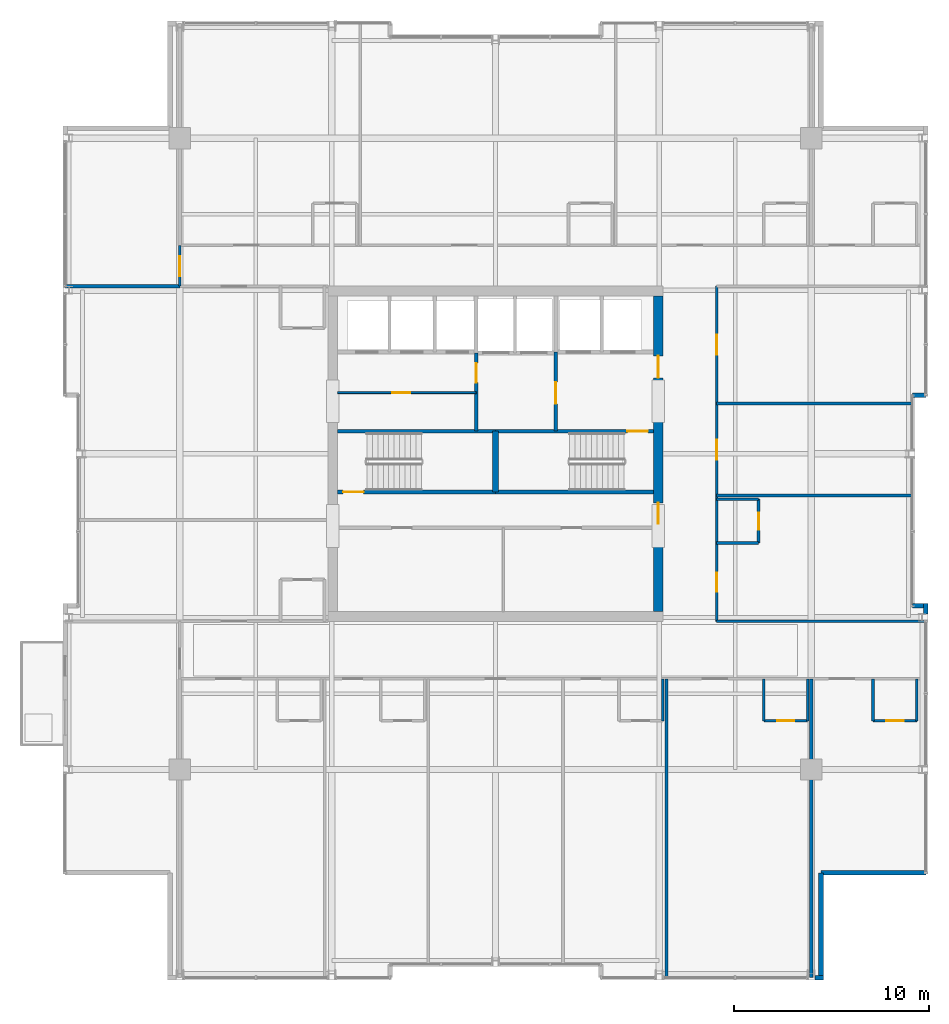
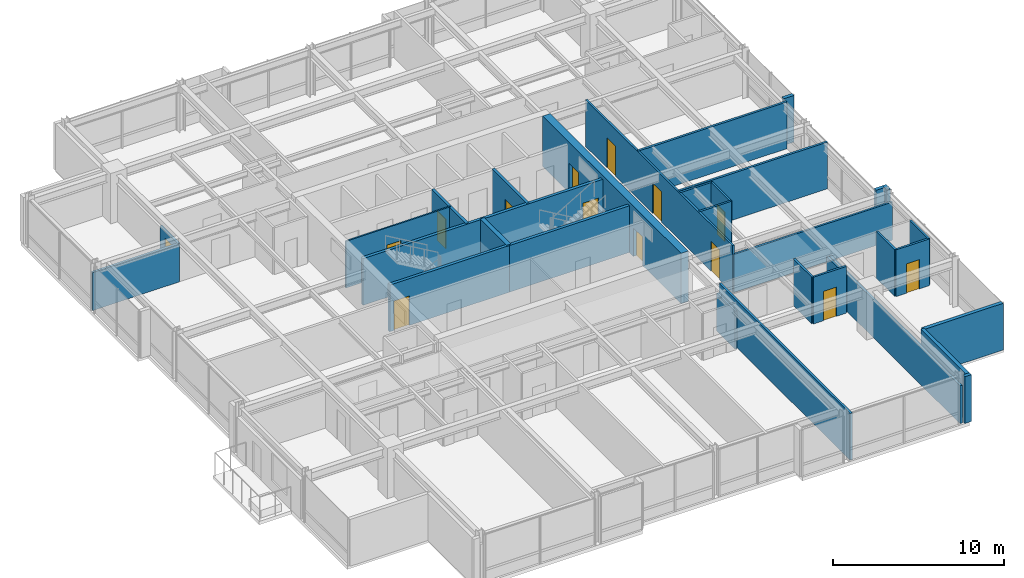
# One storey, part 27 of 31: 33 walls, 14 doors, 14 openings.
"""IFC4 building model written with IfcOpenShell, lengths in metres."""

import ifcopenshell
import ifcopenshell.guid

model = None  # the IFC model being written
_history = None  # IfcOwnerHistory: only IFC2X3 demands one
_inside = {}  # id of a spatial element -> (the spatial element, [elements in it])
_under = {}  # id of a project, library or spatial element -> (it, [spatial elements below it])
_declared = {}  # id of a project -> (the project, [libraries it declares])
_typed = {}  # id of a type object -> (the type object, [elements of that type])
_made_of = {}  # id of a material, layer set ... -> (it, [elements and type objects made of it])


def new_model(schema):
    """Start an empty IFC model of exactly this schema.

    Asked for "IFC4X3", IfcOpenShell would pick the latest addendum, in which some entities
    have other attributes; the version numbers below select the first issue.
    IFC2X3 requires an IfcOwnerHistory on every rooted entity: one is made here for all.
    """
    global model, _history
    if schema == "IFC4X3":
        model = ifcopenshell.file(schema_version=(4, 3, 0, 0))
    else:
        model = ifcopenshell.file(schema=schema)
    _inside.clear()
    _under.clear()
    _declared.clear()
    _typed.clear()
    _made_of.clear()
    _history = None
    if model.schema == "IFC2X3":
        org = make("IfcOrganization", Name="unknown")
        user = make(
            "IfcPersonAndOrganization",
            ThePerson=make("IfcPerson", FamilyName="unknown"),
            TheOrganization=org,
        )
        app = make(
            "IfcApplication",
            ApplicationDeveloper=org,
            Version="unknown",
            ApplicationFullName="unknown",
            ApplicationIdentifier="unknown",
        )
        _history = make(
            "IfcOwnerHistory",
            OwningUser=user,
            OwningApplication=app,
            ChangeAction="ADDED",
            CreationDate=0,
        )
    return model


def make(cls, **values):
    """One entity of the class cls with the attributes given. An attribute that is None is left unset."""
    return model.create_entity(
        cls, **{name: value for name, value in values.items() if value is not None}
    )


def rooted(cls, **values):
    """An entity with a GlobalId (a new one), such as an element, a storey or a relation."""
    return make(cls, GlobalId=ifcopenshell.guid.new(), OwnerHistory=_history, **values)


def si_unit(unit_type, name, prefix=None):
    """IfcSIUnit, for example si_unit("LENGTHUNIT", "METRE", prefix="MILLI")."""
    return make("IfcSIUnit", UnitType=unit_type, Prefix=prefix, Name=name)


def assignment(units):
    """IfcUnitAssignment: the units of a project."""
    return None if units is None else make("IfcUnitAssignment", Units=units)


def point(xyz):
    """IfcCartesianPoint."""
    return None if xyz is None else make("IfcCartesianPoint", Coordinates=xyz)


def direction(xyz):
    """IfcDirection."""
    return None if xyz is None else make("IfcDirection", DirectionRatios=xyz)


def frame(location, z_axis=None, x_axis=None):
    """IfcAxis2Placement3D, a coordinate frame: its origin and axes. An axis left out is left unset."""
    return make(
        "IfcAxis2Placement3D",
        Location=point(location),
        Axis=direction(z_axis),
        RefDirection=direction(x_axis),
    )


def frame_2d(location, x_axis=None):
    """IfcAxis2Placement2D, a coordinate frame in the plane: its origin and x axis."""
    return make(
        "IfcAxis2Placement2D", Location=point(location), RefDirection=direction(x_axis)
    )


def origin():
    """The frame at (0, 0, 0) with its axes left unset."""
    return frame((0.0, 0.0, 0.0))


def place(relative_to, where):
    """IfcLocalPlacement: puts the frame where relative to a parent placement (None: the world)."""
    return make(
        "IfcLocalPlacement", PlacementRelTo=relative_to, RelativePlacement=where
    )


def context(
    kind, dimensions, precision=None, world=None, true_north=None, identifier=None
):
    """IfcGeometricRepresentationContext, for example the 3D "Model" context."""
    return make(
        "IfcGeometricRepresentationContext",
        ContextIdentifier=identifier,
        ContextType=kind,
        CoordinateSpaceDimension=dimensions,
        Precision=precision,
        WorldCoordinateSystem=world,
        TrueNorth=true_north,
    )


def subcontext(parent, identifier, kind, view, scale=None):
    """IfcGeometricRepresentationSubContext, for example "Body" below "Model"."""
    return make(
        "IfcGeometricRepresentationSubContext",
        ContextIdentifier=identifier,
        ContextType=kind,
        ParentContext=parent,
        TargetScale=scale,
        TargetView=view,
    )


def project(units=None, contexts=None):
    """IfcProject with its units and contexts."""
    return rooted(
        "IfcProject",
        Name="project",
        RepresentationContexts=contexts,
        UnitsInContext=assignment(units),
    )


def spatial(cls, under=None, at=None, **own):
    """A site, building, storey or space (cls), placed at a placement, below another one or the project."""
    s = rooted(cls, ObjectPlacement=at, **own)
    if under is not None:
        _under.setdefault(under.id(), (under, []))[1].append(s)
    return s


def profile(cls, at=None, kind="AREA", **sizes):
    """A parametric profile (cls). Its sizes go by their IFC names, for example OverallWidth=200.0."""
    return make(cls, ProfileType=kind, Position=at, **sizes)


def rectangle(**sizes):
    """IfcRectangleProfileDef."""
    return profile("IfcRectangleProfileDef", **sizes)


def extrude(swept, where, along, depth):
    """IfcExtrudedAreaSolid: the profile swept, set in the frame where, extruded along a direction by depth."""
    return make(
        "IfcExtrudedAreaSolid",
        SweptArea=swept,
        Position=where,
        ExtrudedDirection=direction(along),
        Depth=depth,
    )


def shape(context_of_items, identifier, shape_type, items):
    """IfcShapeRepresentation: the items that make up one representation, for example the "Body"."""
    return make(
        "IfcShapeRepresentation",
        ContextOfItems=context_of_items,
        RepresentationIdentifier=identifier,
        RepresentationType=shape_type,
        Items=items,
    )


def material(Name=None, Category=None):
    """IfcMaterial."""
    return make("IfcMaterial", Name=Name, Category=Category)


def layer(
    of_material, thickness, ventilated=None, Name=None, Category=None, Priority=None
):
    """IfcMaterialLayer: one layer of a wall or slab, of a material (None: an air gap)."""
    return make(
        "IfcMaterialLayer",
        Material=of_material,
        LayerThickness=thickness,
        IsVentilated=ventilated,
        Name=Name,
        Category=Category,
        Priority=Priority,
    )


def layer_set(layers, Name=None):
    """IfcMaterialLayerSet."""
    return make("IfcMaterialLayerSet", MaterialLayers=layers, LayerSetName=Name)


def made_of(thing, what):
    """Note that an element or type object is made of a material, layer set ...; save() writes the relation."""
    if what is not None:
        _made_of.setdefault(what.id(), (what, []))[1].append(thing)
    return thing


def type_object(cls, material=None, **own):
    """A type object (cls), such as IfcWallType, which elements share."""
    return made_of(rooted(cls, **own), material)


def element(
    cls,
    number,
    at=None,
    inside=None,
    cuts=None,
    type_object=None,
    material=None,
    context=None,
    identifier="Body",
    shape_type=None,
    held_by="IfcProductDefinitionShape",
    body=None,
    shapes=None,
    **own,
):
    """One element of the class cls, such as IfcWall. Its Tag is "e" and its number.

    at: its placement. inside: the storey or other place that contains it. cuts: it is an
    opening in that element (IfcRelVoidsElement). A single representation is given by context,
    identifier, shape_type and body (its items); several are given by shapes. held_by: the class
    of the entity that holds the representations. save() writes the other relations.
    """
    e = rooted(cls, Tag="e%d" % number, ObjectPlacement=at, **own)
    if body is not None:
        shapes = [shape(context, identifier, shape_type, body)]
    if shapes is not None:
        e.Representation = make(held_by, Representations=shapes)
    if inside is not None:
        _inside.setdefault(inside.id(), (inside, []))[1].append(e)
    if cuts is not None:
        rooted(
            "IfcRelVoidsElement", RelatingBuildingElement=cuts, RelatedOpeningElement=e
        )
    if type_object is not None:
        _typed.setdefault(type_object.id(), (type_object, []))[1].append(e)
    return made_of(e, material)


def fill(opening, filler):
    """IfcRelFillsElement: the door or window that sits in an opening."""
    return rooted(
        "IfcRelFillsElement",
        RelatingOpeningElement=opening,
        RelatedBuildingElement=filler,
    )


def aggregate(whole, parts):
    """IfcRelAggregates: a whole, such as a stair, and the parts it consists of."""
    return rooted("IfcRelAggregates", RelatingObject=whole, RelatedObjects=parts)


def save(model, path):
    """Write the relations noted so far, then the file.

    IfcRelAggregates (storeys below a building ...), IfcRelContainedInSpatialStructure (elements
    in a storey), IfcRelDefinesByType, IfcRelAssociatesMaterial and IfcRelDeclares: one each for
    every whole, place, type object, material and project.
    """
    for whole, parts in _under.values():
        aggregate(whole, parts)
    for where, things in _inside.values():
        rooted(
            "IfcRelContainedInSpatialStructure",
            RelatedElements=things,
            RelatingStructure=where,
        )
    for kind, things in _typed.values():
        rooted("IfcRelDefinesByType", RelatedObjects=things, RelatingType=kind)
    for what, things in _made_of.values():
        rooted("IfcRelAssociatesMaterial", RelatedObjects=things, RelatingMaterial=what)
    for by, libraries in _declared.values():
        rooted("IfcRelDeclares", RelatingContext=by, RelatedDefinitions=libraries)
    model.write(path)


model = new_model("IFC4")

# Units and contexts
model_context = context("Model", 3, precision=1e-05, world=origin(), true_north=direction((0.0, 1.0)))
body_context = subcontext(model_context, "Body", "Model", "MODEL_VIEW")
ifc_project = project(units=[si_unit("LENGTHUNIT", "METRE"), si_unit("AREAUNIT", "SQUARE_METRE"), si_unit("VOLUMEUNIT", "CUBIC_METRE"), si_unit("PLANEANGLEUNIT", "RADIAN"), si_unit("MASSUNIT", "GRAM", prefix="KILO")], contexts=[model_context])

# Site, building, storey
site_placement = place(None, origin())
site = spatial("IfcSite", under=ifc_project, at=site_placement, CompositionType="ELEMENT")
building_placement = place(site_placement, origin())
building = spatial("IfcBuilding", under=site, at=building_placement, Name="Drelvath Grand Hotel", CompositionType="ELEMENT")
storey_placement = place(building_placement, frame((0.0, 0.0, 230.300048828125)))
storey = spatial("IfcBuildingStorey", under=building, at=storey_placement, Name="L60", CompositionType="ELEMENT", Elevation=230.300048828125)

# Wall, opening, door
ifc_material_1 = material(Name="Gypsum Partition Board")
ifc_layer_1 = layer(ifc_material_1, 0.10009765625)
ifc_layer_set_1 = layer_set([ifc_layer_1], Name="Gypsum Partition Board")
wall_type_1 = type_object("IfcWallType", Name="Core Closet Partition 100", PredefinedType="PARTITIONING", material=ifc_layer_set_1)
wall_1_placement = place(storey_placement, frame((-8.10009765625, 30.139892578125, 0.0), z_axis=(0.0, 0.0, 1.0), x_axis=(1.0, 0.0, 0.0)))
wall_1 = element("IfcWall", 1, at=wall_1_placement, inside=storey, type_object=wall_type_1, Name="L60 High-Rise Lobby Closet Wall", PredefinedType="PARTITIONING", context=body_context, shape_type="SweptSolid", body=[
    extrude(rectangle(XDim=7.10009765625, YDim=0.10009765625, at=frame_2d((3.550048828125, 0.0))), origin(), (0.0, 0.0, 1.0), 3.33984375),
])
opening_1_placement = place(wall_1_placement, frame((2.800048828125, 0.0, 0.0)))
opening_1 = element("IfcOpeningElement", 2, at=opening_1_placement, cuts=wall_1, Name="Opening D-T4G3-013", PredefinedType="OPENING", context=body_context, shape_type="SweptSolid", body=[
    extrude(rectangle(XDim=0.919921875, YDim=2.10009765625, at=frame_2d((0.4599609375, 1.050048828125))), frame((0.0, 0.06005859375, 0.0), z_axis=(0.0, -1.0, 0.0), x_axis=(1.0, 0.0, 0.0)), (0.0, 0.0, 1.0), 0.1201171875),
])
ifc_material_2 = material(Name="Painted Steel S275", Category="steel")
door_type_1 = type_object("IfcDoorType", Name="Staff Utility Door 920x2100", OperationType="NOTDEFINED", PredefinedType="DOOR", material=ifc_material_2)
door_1_placement = place(opening_1_placement, origin())
door_1 = element("IfcDoor", 3, at=door_1_placement, inside=storey, type_object=door_type_1, Name="L60 Core Telecom Door", OperationType="SINGLE_SWING_RIGHT", OverallHeight=2.10009765625, OverallWidth=0.919921875, PredefinedType="DOOR", context=body_context, shape_type="SweptSolid", body=[
    extrude(rectangle(XDim=0.919921875, YDim=2.10009765625, at=frame_2d((0.4599609375, 1.050048828125))), frame((0.0, 0.02490234375, 0.0), z_axis=(0.0, -1.0, 0.0), x_axis=(1.0, 0.0, 0.0)), (0.0, 0.0, 1.0), 0.050048828125),
])
fill(opening_1, door_1)

ifc_material_3 = material(Name="Concrete C40/50", Category="concrete")
ifc_layer_2 = layer(ifc_material_3, 0.199951171875)
ifc_layer_set_2 = layer_set([ifc_layer_2], Name="Concrete C40/50")
wall_type_2 = type_object("IfcWallType", Name="Core Shaft Fire Wall 200", PredefinedType="SOLIDWALL", material=ifc_layer_set_2)
wall_2_placement = place(storey_placement, frame((-8.10009765625, 25.0400390625, 0.0), z_axis=(0.0, 0.0, 1.0), x_axis=(1.0, 0.0, 0.0)))
wall_2 = element("IfcWall", 4, at=wall_2_placement, inside=storey, type_object=wall_type_2, Name="L60 Stair ST-1 South Wall", PredefinedType="SOLIDWALL", context=body_context, shape_type="SweptSolid", body=[
    extrude(rectangle(XDim=8.10009765625, YDim=0.199951171875, at=frame_2d((4.050048828125, 0.0))), origin(), (0.0, 0.0, 1.0), 3.33984375),
])
opening_2_placement = place(wall_2_placement, frame((0.280029296875, 0.0, 0.0)))
opening_2 = element("IfcOpeningElement", 5, at=opening_2_placement, cuts=wall_2, Name="Opening D-T4G3-001", PredefinedType="OPENING", context=body_context, shape_type="SweptSolid", body=[
    extrude(rectangle(XDim=1.050048828125, YDim=2.10009765625, at=frame_2d((0.52490234375, 1.050048828125))), frame((0.0, 0.10986328125, 0.0), z_axis=(0.0, -1.0, 0.0), x_axis=(1.0, 0.0, 0.0)), (0.0, 0.0, 1.0), 0.219970703125),
])
door_type_2 = type_object("IfcDoorType", Name="Tower Stairwell Fire Door 1050x2100", OperationType="NOTDEFINED", PredefinedType="DOOR", material=ifc_material_2)
door_2_placement = place(opening_2_placement, origin())
door_2 = element("IfcDoor", 6, at=door_2_placement, inside=storey, type_object=door_type_2, Name="L60 Exit Stair ST-1 Door", OperationType="SINGLE_SWING_LEFT", OverallHeight=2.10009765625, OverallWidth=1.050048828125, PredefinedType="DOOR", context=body_context, shape_type="SweptSolid", body=[
    extrude(rectangle(XDim=1.050048828125, YDim=2.10009765625, at=frame_2d((0.52490234375, 1.050048828125))), frame((0.0, 0.02490234375, 0.0), z_axis=(0.0, -1.0, 0.0), x_axis=(1.0, 0.0, 0.0)), (0.0, 0.0, 1.0), 0.050048828125),
])
fill(opening_2, door_2)

# Walls
for number, where, z_axis, x_axis, name in (
    (7, (-8.10009765625, 28.159912109375, 0.0), (0.0, 0.0, 1.0), (1.0, 0.0, 0.0), "L60 Stair ST-1 North Wall"),
    (8, (0.0, 25.0400390625, 0.0), (0.0, 0.0, 1.0), (1.0, 0.0, 0.0), "L60 Stair ST-2 South Wall"),
):
    element("IfcWall", number, at=place(storey_placement, frame(where, z_axis=z_axis, x_axis=x_axis)), inside=storey, type_object=wall_type_2, Name=name, PredefinedType="SOLIDWALL", context=body_context, shape_type="SweptSolid", body=[
        extrude(rectangle(XDim=8.10009765625, YDim=0.199951171875, at=frame_2d((4.050048828125, 0.0))), origin(), (0.0, 0.0, 1.0), 3.33984375),
    ])

# Wall, opening, door
wall_3_placement = place(storey_placement, frame((8.10009765625, 28.159912109375, 0.0), z_axis=(0.0, 0.0, 1.0), x_axis=(-1.0, 0.0, 0.0)))
wall_3 = element("IfcWall", 9, at=wall_3_placement, inside=storey, type_object=wall_type_2, Name="L60 Stair ST-2 North Wall", PredefinedType="SOLIDWALL", context=body_context, shape_type="SweptSolid", body=[
    extrude(rectangle(XDim=8.10009765625, YDim=0.199951171875, at=frame_2d((4.050048828125, 0.0))), origin(), (0.0, 0.0, 1.0), 3.33984375),
])
opening_3_placement = place(wall_3_placement, frame((0.280029296875, 0.0, 0.0)))
opening_3 = element("IfcOpeningElement", 10, at=opening_3_placement, cuts=wall_3, Name="Opening D-T4G3-002", PredefinedType="OPENING", context=body_context, shape_type="SweptSolid", body=[
    extrude(rectangle(XDim=1.050048828125, YDim=2.10009765625, at=frame_2d((0.52490234375, 1.050048828125))), frame((0.0, 0.10986328125, 0.0), z_axis=(0.0, -1.0, 0.0), x_axis=(1.0, 0.0, 0.0)), (0.0, 0.0, 1.0), 0.219970703125),
])
door_3_placement = place(opening_3_placement, origin())
door_3 = element("IfcDoor", 11, at=door_3_placement, inside=storey, type_object=door_type_2, Name="L60 Exit Stair ST-2 Door", OperationType="SINGLE_SWING_LEFT", OverallHeight=2.10009765625, OverallWidth=1.050048828125, PredefinedType="DOOR", context=body_context, shape_type="SweptSolid", body=[
    extrude(rectangle(XDim=1.050048828125, YDim=2.10009765625, at=frame_2d((0.52490234375, 1.050048828125))), frame((0.0, 0.02490234375, 0.0), z_axis=(0.0, -1.0, 0.0), x_axis=(1.0, 0.0, 0.0)), (0.0, 0.0, 1.0), 0.050048828125),
])
fill(opening_3, door_3)

# Walls
ifc_layer_3 = layer(ifc_material_3, 0.300048828125)
ifc_layer_set_3 = layer_set([ifc_layer_3], Name="Concrete C40/50")
wall_type_3 = type_object("IfcWallType", Name="Core Shaft Fire Wall 300", PredefinedType="SOLIDWALL", material=ifc_layer_set_3)
wall_4_placement = place(storey_placement, frame((0.0, 25.0400390625, 0.0), z_axis=(0.0, 0.0, 1.0), x_axis=(0.0, 1.0, 0.0)))
element("IfcWall", 12, at=wall_4_placement, inside=storey, type_object=wall_type_3, Name="L60 Core Stair Divider Wall", PredefinedType="SOLIDWALL", context=body_context, shape_type="SweptSolid", body=[
    extrude(rectangle(XDim=3.119873046875, YDim=0.300048828125, at=frame_2d((1.56005859375, 0.0))), origin(), (0.0, 0.0, 1.0), 3.33984375),
])
ifc_material_4 = material(Name="Gypsum Fireboard Partition")
ifc_layer_4 = layer(ifc_material_4, 0.135009765625)
ifc_layer_set_4 = layer_set([ifc_layer_4], Name="Gypsum Fireboard Partition")
wall_type_4 = type_object("IfcWallType", Name="Corridor Fire Barrier Wall 135", PredefinedType="PARTITIONING", material=ifc_layer_set_4)
wall_5_placement = place(storey_placement, frame((11.35009765625, 18.39990234375, 0.0), z_axis=(0.0, 0.0, 1.0), x_axis=(1.0, 0.0, 0.0)))
element("IfcWall", 13, at=wall_5_placement, inside=storey, type_object=wall_type_4, Name="L60 South Gallery Inner East Wall", PredefinedType="PARTITIONING", context=body_context, shape_type="SweptSolid", body=[
    extrude(rectangle(XDim=10.72998046875, YDim=0.135009765625, at=frame_2d((5.364990234375, 0.0))), origin(), (0.0, 0.0, 1.0), 2.71728515625),
])

# Wall, openings, doors
wall_6_placement = place(storey_placement, frame((11.35009765625, 18.39990234375, 0.0), z_axis=(0.0, 0.0, 1.0), x_axis=(0.0, 1.0, 0.0)))
wall_6 = element("IfcWall", 14, at=wall_6_placement, inside=storey, type_object=wall_type_4, Name="L60 East Gallery Link Wall", PredefinedType="PARTITIONING", context=body_context, shape_type="SweptSolid", body=[
    extrude(rectangle(XDim=17.2001953125, YDim=0.135009765625, at=frame_2d((8.60009765625, 0.0))), origin(), (0.0, 0.0, 1.0), 3.33984375),
])
opening_4_placement = place(wall_6_placement, frame((1.530029296875, 0.0, 0.0)))
opening_4 = element("IfcOpeningElement", 15, at=opening_4_placement, cuts=wall_6, Name="Opening D-T4G3-039", PredefinedType="OPENING", context=body_context, shape_type="SweptSolid", body=[
    extrude(rectangle(XDim=0.9599609375, YDim=2.14990234375, at=frame_2d((0.47998046875, 1.074951171875))), frame((0.0, 0.077392578125, 0.0), z_axis=(0.0, -1.0, 0.0), x_axis=(1.0, 0.0, 0.0)), (0.0, 0.0, 1.0), 0.155029296875),
])
opening_5_placement = place(wall_6_placement, frame((8.304931640625, 0.0, 0.0)))
opening_5 = element("IfcOpeningElement", 16, at=opening_5_placement, cuts=wall_6, Name="Opening D-T4G3-040", PredefinedType="OPENING", context=body_context, shape_type="SweptSolid", body=[
    extrude(rectangle(XDim=1.02001953125, YDim=2.14990234375, at=frame_2d((0.510009765625, 1.074951171875))), frame((0.0, 0.077392578125, 0.0), z_axis=(0.0, -1.0, 0.0), x_axis=(1.0, 0.0, 0.0)), (0.0, 0.0, 1.0), 0.155029296875),
])
opening_6_placement = place(wall_6_placement, frame((13.679931640625, 0.0, 0.0)))
opening_6 = element("IfcOpeningElement", 17, at=opening_6_placement, cuts=wall_6, Name="Opening D-T4G3-041", PredefinedType="OPENING", context=body_context, shape_type="SweptSolid", body=[
    extrude(rectangle(XDim=1.02001953125, YDim=2.14990234375, at=frame_2d((0.510009765625, 1.074951171875))), frame((0.0, 0.077392578125, 0.0), z_axis=(0.0, -1.0, 0.0), x_axis=(1.0, 0.0, 0.0)), (0.0, 0.0, 1.0), 0.155029296875),
])
ifc_material_5 = material(Name="Hardwood Walnut Timber", Category="wood")
door_type_3 = type_object("IfcDoorType", Name="Amenity Meeting Fire Door 1020x2150", OperationType="NOTDEFINED", PredefinedType="DOOR", material=ifc_material_5)
door_4_placement = place(opening_5_placement, origin())
door_4 = element("IfcDoor", 18, at=door_4_placement, inside=storey, type_object=door_type_3, Name="L60 Quiet Study Library Entry Door", OperationType="SINGLE_SWING_LEFT", OverallHeight=2.14990234375, OverallWidth=1.02001953125, PredefinedType="DOOR", context=body_context, shape_type="SweptSolid", body=[
    extrude(rectangle(XDim=1.02001953125, YDim=2.14990234375, at=frame_2d((0.510009765625, 1.074951171875))), frame((0.0, 0.02490234375, 0.0), z_axis=(0.0, -1.0, 0.0), x_axis=(1.0, 0.0, 0.0)), (0.0, 0.0, 1.0), 0.050048828125),
])
fill(opening_5, door_4)
door_5_placement = place(opening_6_placement, origin())
door_5 = element("IfcDoor", 19, at=door_5_placement, inside=storey, type_object=door_type_3, Name="L60 Press Briefing Room Entry Door", OperationType="SINGLE_SWING_RIGHT", OverallHeight=2.14990234375, OverallWidth=1.02001953125, PredefinedType="DOOR", context=body_context, shape_type="SweptSolid", body=[
    extrude(rectangle(XDim=1.02001953125, YDim=2.14990234375, at=frame_2d((0.510009765625, 1.074951171875))), frame((0.0, 0.02490234375, 0.0), z_axis=(0.0, -1.0, 0.0), x_axis=(1.0, 0.0, 0.0)), (0.0, 0.0, 1.0), 0.050048828125),
])
fill(opening_6, door_5)
door_type_4 = type_object("IfcDoorType", Name="Guestroom Entrance Fire Door 960x2150", OperationType="NOTDEFINED", PredefinedType="DOOR", material=ifc_material_5)
door_6_placement = place(opening_4_placement, origin())
door_6 = element("IfcDoor", 20, at=door_6_placement, inside=storey, type_object=door_type_4, Name="L60 Deluxe Guest Room Entry Door", OperationType="SINGLE_SWING_RIGHT", OverallHeight=2.14990234375, OverallWidth=0.9599609375, PredefinedType="DOOR", context=body_context, shape_type="SweptSolid", body=[
    extrude(rectangle(XDim=0.9599609375, YDim=2.14990234375, at=frame_2d((0.47998046875, 1.074951171875))), frame((0.0, 0.02490234375, 0.0), z_axis=(0.0, -1.0, 0.0), x_axis=(1.0, 0.0, 0.0)), (0.0, 0.0, 1.0), 0.050048828125),
])
fill(opening_4, door_6)

# Wall, opening, door
wall_7_placement = place(storey_placement, frame((-16.199951171875, 35.60009765625, 0.0), z_axis=(0.0, 0.0, 1.0), x_axis=(0.0, 1.0, 0.0)))
wall_7 = element("IfcWall", 21, at=wall_7_placement, inside=storey, type_object=wall_type_4, Name="L60 North Gallery West End", PredefinedType="PARTITIONING", context=body_context, shape_type="SweptSolid", body=[
    extrude(rectangle(XDim=2.099853515625, YDim=0.135009765625, at=frame_2d((1.0498046875, 0.0))), origin(), (0.0, 0.0, 1.0), 2.7138671875),
])
opening_7_placement = place(wall_7_placement, frame((0.52001953125, 0.0, 0.0)))
opening_7 = element("IfcOpeningElement", 22, at=opening_7_placement, cuts=wall_7, Name="Opening D-T4G3-018", PredefinedType="OPENING", context=body_context, shape_type="SweptSolid", body=[
    extrude(rectangle(XDim=1.02001953125, YDim=2.14990234375, at=frame_2d((0.510009765625, 1.074951171875))), frame((0.0, 0.077392578125, 0.0), z_axis=(0.0, -1.0, 0.0), x_axis=(1.0, 0.0, 0.0)), (0.0, 0.0, 1.0), 0.155029296875),
])
door_7_placement = place(opening_7_placement, origin())
door_7 = element("IfcDoor", 23, at=door_7_placement, inside=storey, type_object=door_type_3, Name="L60 Corner Panorama Lounge Door", OperationType="SINGLE_SWING_LEFT", OverallHeight=2.14990234375, OverallWidth=1.02001953125, PredefinedType="DOOR", context=body_context, shape_type="SweptSolid", body=[
    extrude(rectangle(XDim=1.02001953125, YDim=2.14990234375, at=frame_2d((0.510009765625, 1.074951171875))), frame((0.0, 0.02490234375, 0.0), z_axis=(0.0, -1.0, 0.0), x_axis=(1.0, 0.0, 0.0)), (0.0, 0.0, 1.0), 0.050048828125),
])
fill(opening_7, door_7)

# Walls
ifc_material_6 = material(Name="Moisture-Resistant Gypsum Board")
ifc_layer_5 = layer(ifc_material_6, 0.139892578125)
ifc_layer_set_5 = layer_set([ifc_layer_5], Name="Moisture-Resistant Gypsum Board")
wall_type_5 = type_object("IfcWallType", Name="En-Suite Plumbing Wall 140", PredefinedType="PLUMBINGWALL", material=ifc_layer_set_5)
for number, where, z_axis, x_axis, name in (
    (24, (19.3701171875, 15.449951171875, 0.0), (0.0, 0.0, 1.0), (0.0, -1.0, 0.0), "L60 En-Suite Left Wall"),
    (25, (21.6201171875, 15.449951171875, 0.0), (0.0, 0.0, 1.0), (0.0, -1.0, 0.0), "L60 En-Suite Right Wall"),
):
    element("IfcWall", number, at=place(storey_placement, frame(where, z_axis=z_axis, x_axis=x_axis)), inside=storey, type_object=wall_type_5, Name=name, PredefinedType="PLUMBINGWALL", context=body_context, shape_type="SweptSolid", body=[
        extrude(rectangle(XDim=2.14990234375, YDim=0.139892578125, at=frame_2d((1.074951171875, 0.0))), origin(), (0.0, 0.0, 1.0), 3.33984375),
    ])

# Wall, opening, door
wall_8_placement = place(storey_placement, frame((19.3701171875, 13.300048828125, 0.0), z_axis=(0.0, 0.0, 1.0), x_axis=(1.0, 0.0, 0.0)))
wall_8 = element("IfcWall", 26, at=wall_8_placement, inside=storey, type_object=wall_type_5, Name="L60 En-Suite Front Wall", PredefinedType="PLUMBINGWALL", context=body_context, shape_type="SweptSolid", body=[
    extrude(rectangle(XDim=2.25, YDim=0.139892578125, at=frame_2d((1.125, 0.0))), origin(), (0.0, 0.0, 1.0), 3.33984375),
])
opening_8_placement = place(wall_8_placement, frame((0.68505859375, 0.0, 0.0)))
opening_8 = element("IfcOpeningElement", 27, at=opening_8_placement, cuts=wall_8, Name="Opening D-T4G3-019", PredefinedType="OPENING", context=body_context, shape_type="SweptSolid", body=[
    extrude(rectangle(XDim=0.8798828125, YDim=2.10009765625, at=frame_2d((0.43994140625, 1.050048828125))), frame((0.0, 0.079833984375, 0.0), z_axis=(0.0, -1.0, 0.0), x_axis=(1.0, 0.0, 0.0)), (0.0, 0.0, 1.0), 0.159912109375),
])
door_type_5 = type_object("IfcDoorType", Name="En-Suite Bathroom Door 880x2100", OperationType="NOTDEFINED", PredefinedType="DOOR", material=ifc_material_5)
door_8_placement = place(opening_8_placement, origin())
door_8 = element("IfcDoor", 28, at=door_8_placement, inside=storey, type_object=door_type_5, Name="L60 En-Suite Bathroom Door", OperationType="SINGLE_SWING_RIGHT", OverallHeight=2.10009765625, OverallWidth=0.8798828125, PredefinedType="DOOR", context=body_context, shape_type="SweptSolid", body=[
    extrude(rectangle(XDim=0.8798828125, YDim=2.10009765625, at=frame_2d((0.43994140625, 1.050048828125))), frame((0.0, 0.02490234375, 0.0), z_axis=(0.0, -1.0, 0.0), x_axis=(1.0, 0.0, 0.0)), (0.0, 0.0, 1.0), 0.050048828125),
])
fill(opening_8, door_8)

# Walls
wall_9_placement = place(storey_placement, frame((8.583984375, 15.449951171875, 0.0), z_axis=(0.0, 0.0, 1.0), x_axis=(0.0, -1.0, 0.0)))
element("IfcWall", 29, at=wall_9_placement, inside=storey, type_object=wall_type_5, Name="L60 En-Suite Right Wall", PredefinedType="PLUMBINGWALL", context=body_context, shape_type="SweptSolid", body=[
    extrude(rectangle(XDim=2.14990234375, YDim=0.139892578125, at=frame_2d((1.074951171875, 0.0))), origin(), (0.0, 0.0, 1.0), 2.71728515625),
])
wall_10_placement = place(storey_placement, frame((13.77001953125, 15.449951171875, 0.0), z_axis=(0.0, 0.0, 1.0), x_axis=(0.0, -1.0, 0.0)))
element("IfcWall", 30, at=wall_10_placement, inside=storey, type_object=wall_type_5, Name="L60 En-Suite Left Wall", PredefinedType="PLUMBINGWALL", context=body_context, shape_type="SweptSolid", body=[
    extrude(rectangle(XDim=2.14990234375, YDim=0.139892578125, at=frame_2d((1.074951171875, 0.0))), origin(), (0.0, 0.0, 1.0), 3.33984375),
])
wall_11_placement = place(storey_placement, frame((16.02001953125, 15.449951171875, 0.0), z_axis=(0.0, 0.0, 1.0), x_axis=(0.0, -1.0, 0.0)))
element("IfcWall", 31, at=wall_11_placement, inside=storey, type_object=wall_type_5, Name="L60 En-Suite Right Wall", PredefinedType="PLUMBINGWALL", context=body_context, shape_type="SweptSolid", body=[
    extrude(rectangle(XDim=2.14990234375, YDim=0.139892578125, at=frame_2d((1.074951171875, 0.0))), origin(), (0.0, 0.0, 1.0), 2.7138671875),
])

# Wall, opening, door
wall_12_placement = place(storey_placement, frame((13.77001953125, 13.300048828125, 0.0), z_axis=(0.0, 0.0, 1.0), x_axis=(1.0, 0.0, 0.0)))
wall_12 = element("IfcWall", 32, at=wall_12_placement, inside=storey, type_object=wall_type_5, Name="L60 En-Suite Front Wall", PredefinedType="PLUMBINGWALL", context=body_context, shape_type="SweptSolid", body=[
    extrude(rectangle(XDim=2.25, YDim=0.139892578125, at=frame_2d((1.125, 0.0))), origin(), (0.0, 0.0, 1.0), 3.33984375),
])
opening_9_placement = place(wall_12_placement, frame((0.68505859375, 0.0, 0.0)))
opening_9 = element("IfcOpeningElement", 33, at=opening_9_placement, cuts=wall_12, Name="Opening D-T4G3-030", PredefinedType="OPENING", context=body_context, shape_type="SweptSolid", body=[
    extrude(rectangle(XDim=0.8798828125, YDim=2.10009765625, at=frame_2d((0.43994140625, 1.050048828125))), frame((0.0, 0.079833984375, 0.0), z_axis=(0.0, -1.0, 0.0), x_axis=(1.0, 0.0, 0.0)), (0.0, 0.0, 1.0), 0.159912109375),
])
door_9_placement = place(opening_9_placement, origin())
door_9 = element("IfcDoor", 34, at=door_9_placement, inside=storey, type_object=door_type_5, Name="L60 En-Suite Bathroom Door", OperationType="SINGLE_SWING_LEFT", OverallHeight=2.10009765625, OverallWidth=0.8798828125, PredefinedType="DOOR", context=body_context, shape_type="SweptSolid", body=[
    extrude(rectangle(XDim=0.8798828125, YDim=2.10009765625, at=frame_2d((0.43994140625, 1.050048828125))), frame((0.0, 0.02490234375, 0.0), z_axis=(0.0, -1.0, 0.0), x_axis=(1.0, 0.0, 0.0)), (0.0, 0.0, 1.0), 0.050048828125),
])
fill(opening_9, door_9)

# Walls
for number, where, z_axis, x_axis, name in (
    (35, (11.35009765625, 22.419921875, 0.0), (0.0, 0.0, 1.0), (1.0, 0.0, 0.0), "L60 En-Suite Left Wall"),
    (36, (11.35009765625, 24.669921875, 0.0), (0.0, 0.0, 1.0), (1.0, 0.0, 0.0), "L60 En-Suite Right Wall"),
):
    element("IfcWall", number, at=place(storey_placement, frame(where, z_axis=z_axis, x_axis=x_axis)), inside=storey, type_object=wall_type_5, Name=name, PredefinedType="PLUMBINGWALL", context=body_context, shape_type="SweptSolid", body=[
        extrude(rectangle(XDim=2.14990234375, YDim=0.139892578125, at=frame_2d((1.074951171875, 0.0))), origin(), (0.0, 0.0, 1.0), 3.33984375),
    ])

# Wall, opening, door
wall_13_placement = place(storey_placement, frame((13.5, 22.419921875, 0.0), z_axis=(0.0, 0.0, 1.0), x_axis=(0.0, 1.0, 0.0)))
wall_13 = element("IfcWall", 37, at=wall_13_placement, inside=storey, type_object=wall_type_5, Name="L60 En-Suite Front Wall", PredefinedType="PLUMBINGWALL", context=body_context, shape_type="SweptSolid", body=[
    extrude(rectangle(XDim=2.25, YDim=0.139892578125, at=frame_2d((1.125, 0.0))), origin(), (0.0, 0.0, 1.0), 3.33984375),
])
opening_10_placement = place(wall_13_placement, frame((0.68505859375, 0.0, 0.0)))
opening_10 = element("IfcOpeningElement", 38, at=opening_10_placement, cuts=wall_13, Name="Opening D-T4G3-038", PredefinedType="OPENING", context=body_context, shape_type="SweptSolid", body=[
    extrude(rectangle(XDim=0.8798828125, YDim=2.10009765625, at=frame_2d((0.43994140625, 1.050048828125))), frame((0.0, 0.079833984375, 0.0), z_axis=(0.0, -1.0, 0.0), x_axis=(1.0, 0.0, 0.0)), (0.0, 0.0, 1.0), 0.159912109375),
])
door_10_placement = place(opening_10_placement, origin())
door_10 = element("IfcDoor", 39, at=door_10_placement, inside=storey, type_object=door_type_5, Name="L60 En-Suite Bathroom Door", OperationType="SINGLE_SWING_LEFT", OverallHeight=2.10009765625, OverallWidth=0.8798828125, PredefinedType="DOOR", context=body_context, shape_type="SweptSolid", body=[
    extrude(rectangle(XDim=0.8798828125, YDim=2.10009765625, at=frame_2d((0.43994140625, 1.050048828125))), frame((0.0, 0.02490234375, 0.0), z_axis=(0.0, -1.0, 0.0), x_axis=(1.0, 0.0, 0.0)), (0.0, 0.0, 1.0), 0.050048828125),
])
fill(opening_10, door_10)

ifc_layer_6 = layer(ifc_material_4, 0.179931640625)
ifc_layer_set_6 = layer_set([ifc_layer_6], Name="Gypsum Fireboard Partition")
wall_type_6 = type_object("IfcWallType", Name="FSAE Smoke Lobby Fire Wall 180", PredefinedType="SOLIDWALL", material=ifc_layer_set_6)
wall_14_placement = place(storey_placement, frame((3.10009765625, 28.159912109375, 0.0), z_axis=(0.0, 0.0, 1.0), x_axis=(0.0, 1.0, 0.0)))
wall_14 = element("IfcWall", 40, at=wall_14_placement, inside=storey, type_object=wall_type_6, Name="L60 FSAE Smoke Lobby West Wall", PredefinedType="SOLIDWALL", context=body_context, shape_type="SweptSolid", body=[
    extrude(rectangle(XDim=4.06005859375, YDim=0.179931640625, at=frame_2d((2.030029296875, 0.0))), origin(), (0.0, 0.0, 1.0), 3.33984375),
])
opening_11_placement = place(wall_14_placement, frame((1.39990234375, 0.0, 0.0)))
opening_11 = element("IfcOpeningElement", 41, at=opening_11_placement, cuts=wall_14, Name="Opening D-T4G3-005", PredefinedType="OPENING", context=body_context, shape_type="SweptSolid", body=[
    extrude(rectangle(XDim=1.1201171875, YDim=2.10009765625, at=frame_2d((0.56005859375, 1.050048828125))), frame((0.0, 0.099853515625, 0.0), z_axis=(0.0, -1.0, 0.0), x_axis=(1.0, 0.0, 0.0)), (0.0, 0.0, 1.0), 0.199951171875),
])
door_type_6 = type_object("IfcDoorType", Name="FSAE Smoke Lobby Fire Door 1120x2100", OperationType="NOTDEFINED", PredefinedType="DOOR", material=ifc_material_2)
door_11_placement = place(opening_11_placement, origin())
door_11 = element("IfcDoor", 42, at=door_11_placement, inside=storey, type_object=door_type_6, Name="L60 FSAE Lobby Service Vestibule Door", OperationType="SINGLE_SWING_RIGHT", OverallHeight=2.10009765625, OverallWidth=1.1201171875, PredefinedType="DOOR", context=body_context, shape_type="SweptSolid", body=[
    extrude(rectangle(XDim=1.1201171875, YDim=2.10009765625, at=frame_2d((0.56005859375, 1.050048828125))), frame((0.0, 0.02490234375, 0.0), z_axis=(0.0, -1.0, 0.0), x_axis=(1.0, 0.0, 0.0)), (0.0, 0.0, 1.0), 0.050048828125),
])
fill(opening_11, door_11)

wall_15_placement = place(storey_placement, frame((-1.0, 28.159912109375, 0.0), z_axis=(0.0, 0.0, 1.0), x_axis=(0.0, 1.0, 0.0)))
wall_15 = element("IfcWall", 43, at=wall_15_placement, inside=storey, type_object=wall_type_6, Name="L60 Service Vestibule West Wall", PredefinedType="SOLIDWALL", context=body_context, shape_type="SweptSolid", body=[
    extrude(rectangle(XDim=4.02001953125, YDim=0.179931640625, at=frame_2d((2.010009765625, 0.0))), origin(), (0.0, 0.0, 1.0), 3.33984375),
])
opening_12_placement = place(wall_15_placement, frame((2.489990234375, 0.0, 0.0)))
opening_12 = element("IfcOpeningElement", 44, at=opening_12_placement, cuts=wall_15, Name="Opening D-T4G3-009", PredefinedType="OPENING", context=body_context, shape_type="SweptSolid", body=[
    extrude(rectangle(XDim=1.0, YDim=2.10009765625, at=frame_2d((0.5, 1.050048828125))), frame((0.0, 0.099853515625, 0.0), z_axis=(0.0, -1.0, 0.0), x_axis=(1.0, 0.0, 0.0)), (0.0, 0.0, 1.0), 0.199951171875),
])
door_type_7 = type_object("IfcDoorType", Name="Core Service Fire Door 1000x2100", OperationType="NOTDEFINED", PredefinedType="DOOR", material=ifc_material_2)
door_12_placement = place(opening_12_placement, origin())
door_12 = element("IfcDoor", 45, at=door_12_placement, inside=storey, type_object=door_type_7, Name="L60 Service Vestibule West Door", OperationType="SINGLE_SWING_LEFT", OverallHeight=2.10009765625, OverallWidth=1.0, PredefinedType="DOOR", context=body_context, shape_type="SweptSolid", body=[
    extrude(rectangle(XDim=1.0, YDim=2.10009765625, at=frame_2d((0.5, 1.050048828125))), frame((0.0, 0.02490234375, 0.0), z_axis=(0.0, -1.0, 0.0), x_axis=(1.0, 0.0, 0.0)), (0.0, 0.0, 1.0), 0.050048828125),
])
fill(opening_12, door_12)

# Walls
ifc_material_7 = material(Name="Gypsum Acoustic Partition")
ifc_layer_7 = layer(ifc_material_7, 0.14990234375)
ifc_layer_set_7 = layer_set([ifc_layer_7], Name="Gypsum Acoustic Partition")
wall_type_7 = type_object("IfcWallType", Name="Guestroom Demising Wall 150", PredefinedType="PARTITIONING", material=ifc_layer_set_7)
wall_16_placement = place(storey_placement, frame((8.763916015625, 0.1201171875, 0.0), z_axis=(0.0, 0.0, 1.0), x_axis=(0.0, 1.0, 0.0)))
element("IfcWall", 46, at=wall_16_placement, inside=storey, type_object=wall_type_7, Name="L60 South Demising 4", PredefinedType="PARTITIONING", context=body_context, shape_type="SweptSolid", body=[
    extrude(rectangle(XDim=15.329833984375, YDim=0.14990234375, at=frame_2d((7.6650390625, 0.0))), origin(), (0.0, 0.0, 1.0), 3.33984375),
])
for number, where, z_axis, x_axis, name in (
    (47, (11.35009765625, 24.85009765625, 0.0), (0.0, 0.0, 1.0), (1.0, 0.0, 0.0), "L60 East Demising 1"),
    (48, (11.35009765625, 29.580078125, 0.0), (0.0, 0.0, 1.0), (1.0, 0.0, 0.0), "L60 East Demising 2"),
):
    element("IfcWall", number, at=place(storey_placement, frame(where, z_axis=z_axis, x_axis=x_axis)), inside=storey, type_object=wall_type_7, Name=name, PredefinedType="PARTITIONING", context=body_context, shape_type="SweptSolid", body=[
        extrude(rectangle(XDim=10.0498046875, YDim=0.14990234375, at=frame_2d((5.02490234375, 0.0))), origin(), (0.0, 0.0, 1.0), 3.33984375),
    ])
ifc_layer_8 = layer(ifc_material_7, 0.1650390625)
ifc_layer_set_8 = layer_set([ifc_layer_8], Name="Gypsum Acoustic Partition")
wall_type_8 = type_object("IfcWallType", Name="Suite Demising Wall 165", PredefinedType="PARTITIONING", material=ifc_layer_set_8)
wall_17_placement = place(storey_placement, frame((16.199951171875, 0.1201171875, 0.0), z_axis=(0.0, 0.0, 1.0), x_axis=(0.0, 1.0, 0.0)))
element("IfcWall", 49, at=wall_17_placement, inside=storey, type_object=wall_type_8, Name="L60 SE Suite Wall", PredefinedType="PARTITIONING", context=body_context, shape_type="SweptSolid", body=[
    extrude(rectangle(XDim=15.329833984375, YDim=0.1650390625, at=frame_2d((7.6650390625, 0.0))), origin(), (0.0, 0.0, 1.0), 2.7138671875),
])
wall_18_placement = place(storey_placement, frame((-22.080078125, 35.60009765625, 0.0), z_axis=(0.0, 0.0, 1.0), x_axis=(1.0, 0.0, 0.0)))
element("IfcWall", 50, at=wall_18_placement, inside=storey, type_object=wall_type_8, Name="L60 NW Corner South Wall", PredefinedType="PARTITIONING", context=body_context, shape_type="SweptSolid", body=[
    extrude(rectangle(XDim=5.880126953125, YDim=0.1650390625, at=frame_2d((2.93994140625, 0.0))), origin(), (0.0, 0.0, 1.0), 2.7138671875),
])
ifc_material_8 = material(Name="Pale-Metal Insulated Aluminium Spandrel Assembly", Category="aluminium")
ifc_layer_9 = layer(ifc_material_8, 0.239990234375)
ifc_layer_set_9 = layer_set([ifc_layer_9], Name="Pale-Metal Insulated Aluminium Spandrel Assembly")
wall_type_9 = type_object("IfcWallType", Name="Tower Insulated Metal Spandrel Closure Wall 240", PredefinedType="STANDARD", material=ifc_layer_set_9)
wall_19_placement = place(storey_placement, frame((22.080078125, 19.320068359375, 0.0), z_axis=(0.0, 0.0, 1.0), x_axis=(0.0, -1.0, 0.0)))
element("IfcWall", 51, at=wall_19_placement, inside=storey, type_object=wall_type_9, Name="L60 Corner Pier Spandrel Wall ES3", PredefinedType="STANDARD", context=body_context, shape_type="SweptSolid", body=[
    extrude(rectangle(XDim=0.53466796875, YDim=0.239990234375, at=frame_2d((0.267333984375, 0.0))), origin(), (0.0, 0.0, 1.0), 3.33984375),
])
wall_20_placement = place(storey_placement, frame((16.820068359375, 0.1201171875, 0.0), z_axis=(0.0, 0.0, 1.0), x_axis=(-1.0, 0.0, 0.0)))
element("IfcWall", 52, at=wall_20_placement, inside=storey, type_object=wall_type_9, Name="L60 Corner Pier Spandrel Wall SE3", PredefinedType="STANDARD", context=body_context, shape_type="SweptSolid", body=[
    extrude(rectangle(XDim=0.434814453125, YDim=0.239990234375, at=frame_2d((0.21728515625, 0.0))), origin(), (0.0, 0.0, 1.0), 3.33984375),
])
wall_21_placement = place(storey_placement, frame((22.080078125, 5.5, 0.0), z_axis=(0.0, 0.0, 1.0), x_axis=(-1.0, 0.0, 0.0)))
element("IfcWall", 53, at=wall_21_placement, inside=storey, type_object=wall_type_9, Name="L60 Notched Corner Return Spandrel Wall CSE1", PredefinedType="STANDARD", context=body_context, shape_type="SweptSolid", body=[
    extrude(rectangle(XDim=5.380126953125, YDim=0.239990234375, at=frame_2d((2.68994140625, 0.0))), origin(), (0.0, 0.0, 1.0), 3.33984375),
])
wall_22_placement = place(storey_placement, frame((16.699951171875, 5.5, 0.0), z_axis=(0.0, 0.0, 1.0), x_axis=(0.0, -1.0, 0.0)))
element("IfcWall", 54, at=wall_22_placement, inside=storey, type_object=wall_type_9, Name="L60 Notched Corner Return Spandrel Wall CSE2", PredefinedType="STANDARD", context=body_context, shape_type="SweptSolid", body=[
    extrude(rectangle(XDim=5.260009765625, YDim=0.239990234375, at=frame_2d((2.6298828125, 0.0))), origin(), (0.0, 0.0, 1.0), 3.33984375),
])
wall_23_placement = place(storey_placement, frame((22.080078125, 30.0, 0.0), z_axis=(0.0, 0.0, 1.0), x_axis=(-1.0, 0.0, 0.0)))
element("IfcWall", 55, at=wall_23_placement, inside=storey, type_object=wall_type_9, Name="L60 Notched Corner Return Spandrel Wall RE1", PredefinedType="STANDARD", context=body_context, shape_type="SweptSolid", body=[
    extrude(rectangle(XDim=0.68017578125, YDim=0.239990234375, at=frame_2d((0.340087890625, 0.0))), origin(), (0.0, 0.0, 1.0), 3.33984375),
])
wall_24_placement = place(storey_placement, frame((21.39990234375, 19.199951171875, 0.0), z_axis=(0.0, 0.0, 1.0), x_axis=(1.0, 0.0, 0.0)))
element("IfcWall", 56, at=wall_24_placement, inside=storey, type_object=wall_type_9, Name="L60 Notched Corner Return Spandrel Wall RE2", PredefinedType="STANDARD", context=body_context, shape_type="SweptSolid", body=[
    extrude(rectangle(XDim=0.56005859375, YDim=0.239990234375, at=frame_2d((0.280029296875, 0.0))), origin(), (0.0, 0.0, 1.0), 3.33984375),
])

# Wall, openings, doors
ifc_material_9 = material(Name="Concrete f'c 55 MPa", Category="concrete")
ifc_layer_10 = layer(ifc_material_9, 0.5)
ifc_layer_set_10 = layer_set([ifc_layer_10], Name="Concrete f'c 55 MPa")
wall_type_10 = type_object("IfcWallType", Name="Upper Core RC Shear Wall 500", PredefinedType="SHEAR", material=ifc_layer_set_10)
wall_25_placement = place(storey_placement, frame((8.35009765625, 35.10009765625, 0.0), z_axis=(0.0, 0.0, 1.0), x_axis=(0.0, -1.0, 0.0)))
wall_25 = element("IfcWall", 57, at=wall_25_placement, inside=storey, type_object=wall_type_10, Name="L60 Central Core Shear Wall E", PredefinedType="SHEAR", context=body_context, shape_type="SweptSolid", body=[
    extrude(rectangle(XDim=16.2001953125, YDim=0.5, at=frame_2d((8.10009765625, 0.0))), origin(), (0.0, 0.0, 1.0), 3.599853515625),
])
opening_13_placement = place(wall_25_placement, frame((3.080078125, 0.0, 0.0)))
opening_13 = element("IfcOpeningElement", 58, at=opening_13_placement, cuts=wall_25, Name="Opening D-T4G3-006", PredefinedType="OPENING", context=body_context, shape_type="SweptSolid", body=[
    extrude(rectangle(XDim=1.1201171875, YDim=2.10009765625, at=frame_2d((0.56005859375, 1.050048828125))), frame((0.0, 0.260009765625, 0.0), z_axis=(0.0, -1.0, 0.0), x_axis=(1.0, 0.0, 0.0)), (0.0, 0.0, 1.0), 0.52001953125),
])
opening_14_placement = place(wall_25_placement, frame((10.6201171875, 0.0, 0.0)))
opening_14 = element("IfcOpeningElement", 59, at=opening_14_placement, cuts=wall_25, Name="Opening D-T4G3-014", PredefinedType="OPENING", context=body_context, shape_type="SweptSolid", body=[
    extrude(rectangle(XDim=1.080078125, YDim=2.0400390625, at=frame_2d((0.5400390625, 1.02001953125))), frame((0.0, 0.260009765625, 0.0), z_axis=(0.0, -1.0, 0.0), x_axis=(1.0, 0.0, 0.0)), (0.0, 0.0, 1.0), 0.52001953125),
])
door_type_8 = type_object("IfcDoorType", Name="Core Corridor Fire Door 1080x2100", OperationType="NOTDEFINED", PredefinedType="DOOR", material=ifc_material_2)
door_13_placement = place(opening_14_placement, origin())
door_13 = element("IfcDoor", 60, at=door_13_placement, inside=storey, type_object=door_type_8, Name="L60 Core Passage East Door", OperationType="SINGLE_SWING_LEFT", OverallHeight=2.0400390625, OverallWidth=1.080078125, PredefinedType="DOOR", context=body_context, shape_type="SweptSolid", body=[
    extrude(rectangle(XDim=1.080078125, YDim=2.0400390625, at=frame_2d((0.5400390625, 1.02001953125))), frame((0.0, 0.02490234375, 0.0), z_axis=(0.0, -1.0, 0.0), x_axis=(1.0, 0.0, 0.0)), (0.0, 0.0, 1.0), 0.050048828125),
])
fill(opening_14, door_13)
door_14_placement = place(opening_13_placement, origin())
door_14 = element("IfcDoor", 61, at=door_14_placement, inside=storey, type_object=door_type_6, Name="L60 FSAE Lobby East Corridor Door", OperationType="SINGLE_SWING_LEFT", OverallHeight=2.10009765625, OverallWidth=1.1201171875, PredefinedType="DOOR", context=body_context, shape_type="SweptSolid", body=[
    extrude(rectangle(XDim=1.1201171875, YDim=2.10009765625, at=frame_2d((0.56005859375, 1.050048828125))), frame((0.0, 0.02490234375, 0.0), z_axis=(0.0, -1.0, 0.0), x_axis=(1.0, 0.0, 0.0)), (0.0, 0.0, 1.0), 0.050048828125),
])
fill(opening_13, door_14)

save(model, "model.ifc")
